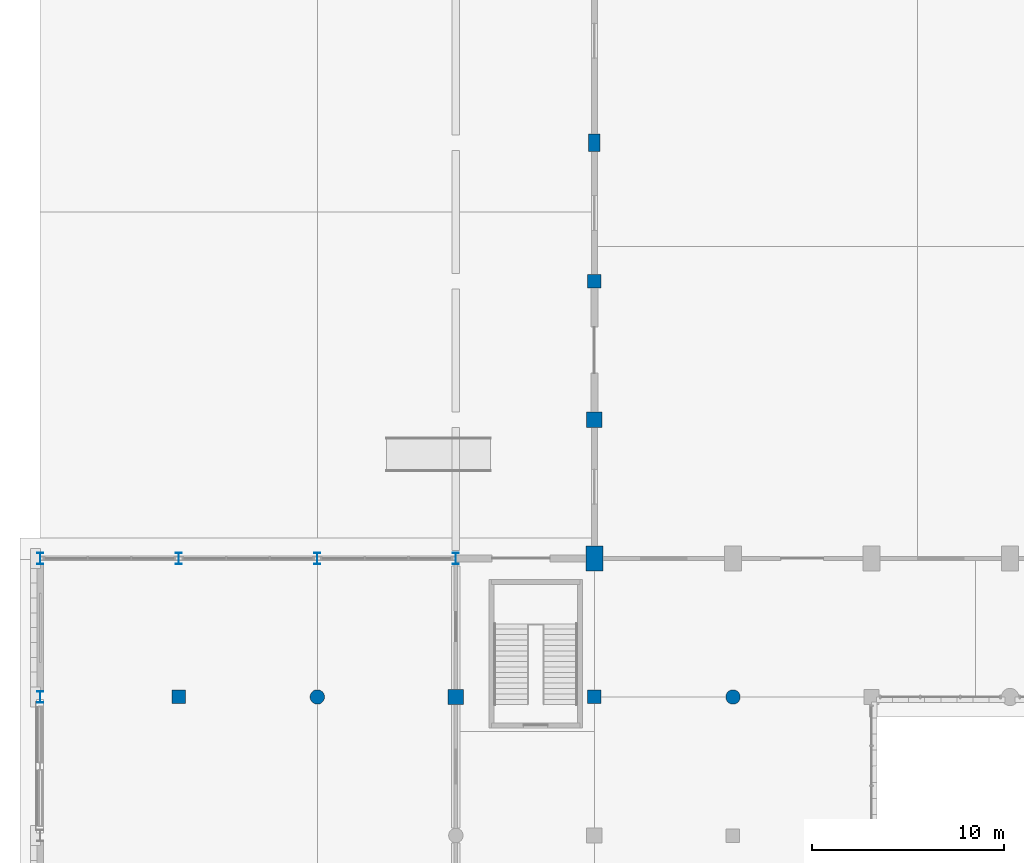
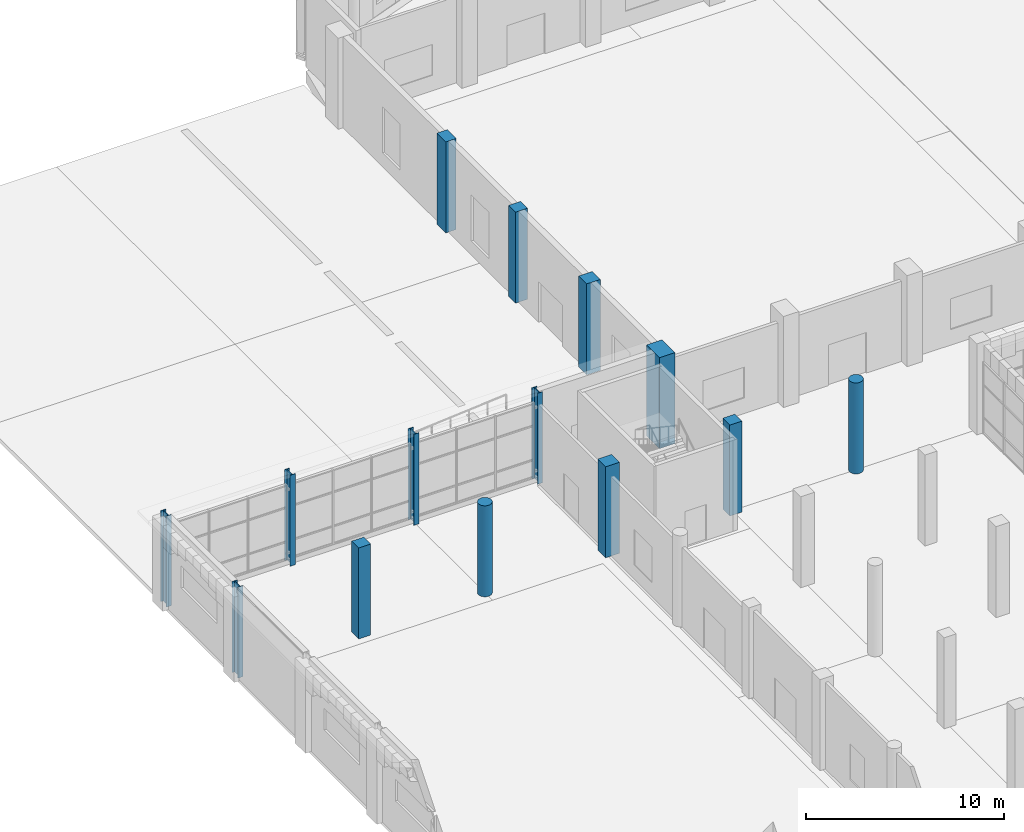
# One storey, part 5 of 85: 14 columns.
"""IFC4 building model written with IfcOpenShell, lengths in metres."""

import ifcopenshell
import ifcopenshell.guid

model = None  # the IFC model being written
_history = None  # IfcOwnerHistory: only IFC2X3 demands one
_inside = {}  # id of a spatial element -> (the spatial element, [elements in it])
_under = {}  # id of a project, library or spatial element -> (it, [spatial elements below it])
_declared = {}  # id of a project -> (the project, [libraries it declares])
_typed = {}  # id of a type object -> (the type object, [elements of that type])
_made_of = {}  # id of a material, layer set ... -> (it, [elements and type objects made of it])


def new_model(schema):
    """Start an empty IFC model of exactly this schema.

    Asked for "IFC4X3", IfcOpenShell would pick the latest addendum, in which some entities
    have other attributes; the version numbers below select the first issue.
    IFC2X3 requires an IfcOwnerHistory on every rooted entity: one is made here for all.
    """
    global model, _history
    if schema == "IFC4X3":
        model = ifcopenshell.file(schema_version=(4, 3, 0, 0))
    else:
        model = ifcopenshell.file(schema=schema)
    _inside.clear()
    _under.clear()
    _declared.clear()
    _typed.clear()
    _made_of.clear()
    _history = None
    if model.schema == "IFC2X3":
        org = make("IfcOrganization", Name="unknown")
        user = make(
            "IfcPersonAndOrganization",
            ThePerson=make("IfcPerson", FamilyName="unknown"),
            TheOrganization=org,
        )
        app = make(
            "IfcApplication",
            ApplicationDeveloper=org,
            Version="unknown",
            ApplicationFullName="unknown",
            ApplicationIdentifier="unknown",
        )
        _history = make(
            "IfcOwnerHistory",
            OwningUser=user,
            OwningApplication=app,
            ChangeAction="ADDED",
            CreationDate=0,
        )
    return model


def make(cls, **values):
    """One entity of the class cls with the attributes given. An attribute that is None is left unset."""
    return model.create_entity(
        cls, **{name: value for name, value in values.items() if value is not None}
    )


def rooted(cls, **values):
    """An entity with a GlobalId (a new one), such as an element, a storey or a relation."""
    return make(cls, GlobalId=ifcopenshell.guid.new(), OwnerHistory=_history, **values)


def si_unit(unit_type, name, prefix=None):
    """IfcSIUnit, for example si_unit("LENGTHUNIT", "METRE", prefix="MILLI")."""
    return make("IfcSIUnit", UnitType=unit_type, Prefix=prefix, Name=name)


def assignment(units):
    """IfcUnitAssignment: the units of a project."""
    return None if units is None else make("IfcUnitAssignment", Units=units)


def point(xyz):
    """IfcCartesianPoint."""
    return None if xyz is None else make("IfcCartesianPoint", Coordinates=xyz)


def direction(xyz):
    """IfcDirection."""
    return None if xyz is None else make("IfcDirection", DirectionRatios=xyz)


def frame(location, z_axis=None, x_axis=None):
    """IfcAxis2Placement3D, a coordinate frame: its origin and axes. An axis left out is left unset."""
    return make(
        "IfcAxis2Placement3D",
        Location=point(location),
        Axis=direction(z_axis),
        RefDirection=direction(x_axis),
    )


def frame_2d(location, x_axis=None):
    """IfcAxis2Placement2D, a coordinate frame in the plane: its origin and x axis."""
    return make(
        "IfcAxis2Placement2D", Location=point(location), RefDirection=direction(x_axis)
    )


def origin():
    """The frame at (0, 0, 0) with its axes left unset."""
    return frame((0.0, 0.0, 0.0))


def origin_2d():
    """The frame at (0, 0) in the plane with its x axis left unset."""
    return frame_2d((0.0, 0.0))


def place(relative_to, where):
    """IfcLocalPlacement: puts the frame where relative to a parent placement (None: the world)."""
    return make(
        "IfcLocalPlacement", PlacementRelTo=relative_to, RelativePlacement=where
    )


def context(
    kind, dimensions, precision=None, world=None, true_north=None, identifier=None
):
    """IfcGeometricRepresentationContext, for example the 3D "Model" context."""
    return make(
        "IfcGeometricRepresentationContext",
        ContextIdentifier=identifier,
        ContextType=kind,
        CoordinateSpaceDimension=dimensions,
        Precision=precision,
        WorldCoordinateSystem=world,
        TrueNorth=true_north,
    )


def subcontext(parent, identifier, kind, view, scale=None):
    """IfcGeometricRepresentationSubContext, for example "Body" below "Model"."""
    return make(
        "IfcGeometricRepresentationSubContext",
        ContextIdentifier=identifier,
        ContextType=kind,
        ParentContext=parent,
        TargetScale=scale,
        TargetView=view,
    )


def project(units=None, contexts=None):
    """IfcProject with its units and contexts."""
    return rooted(
        "IfcProject",
        Name="project",
        RepresentationContexts=contexts,
        UnitsInContext=assignment(units),
    )


def spatial(cls, under=None, at=None, **own):
    """A site, building, storey or space (cls), placed at a placement, below another one or the project."""
    s = rooted(cls, ObjectPlacement=at, **own)
    if under is not None:
        _under.setdefault(under.id(), (under, []))[1].append(s)
    return s


def profile(cls, at=None, kind="AREA", **sizes):
    """A parametric profile (cls). Its sizes go by their IFC names, for example OverallWidth=200.0."""
    return make(cls, ProfileType=kind, Position=at, **sizes)


def rectangle(**sizes):
    """IfcRectangleProfileDef."""
    return profile("IfcRectangleProfileDef", **sizes)


def circle(**sizes):
    """IfcCircleProfileDef."""
    return profile("IfcCircleProfileDef", **sizes)


def i_section(**sizes):
    """IfcIShapeProfileDef."""
    return profile("IfcIShapeProfileDef", **sizes)


def extrude(swept, where, along, depth):
    """IfcExtrudedAreaSolid: the profile swept, set in the frame where, extruded along a direction by depth."""
    return make(
        "IfcExtrudedAreaSolid",
        SweptArea=swept,
        Position=where,
        ExtrudedDirection=direction(along),
        Depth=depth,
    )


def shape(context_of_items, identifier, shape_type, items):
    """IfcShapeRepresentation: the items that make up one representation, for example the "Body"."""
    return make(
        "IfcShapeRepresentation",
        ContextOfItems=context_of_items,
        RepresentationIdentifier=identifier,
        RepresentationType=shape_type,
        Items=items,
    )


def material(Name=None, Category=None):
    """IfcMaterial."""
    return make("IfcMaterial", Name=Name, Category=Category)


def material_profile(
    of_material, cross_section, Name=None, Category=None, Priority=None
):
    """IfcMaterialProfile: a cross section and its material."""
    return make(
        "IfcMaterialProfile",
        Name=Name,
        Material=of_material,
        Profile=cross_section,
        Priority=Priority,
        Category=Category,
    )


def profile_set(profiles, Name=None, composite=None):
    """IfcMaterialProfileSet."""
    return make(
        "IfcMaterialProfileSet",
        Name=Name,
        MaterialProfiles=profiles,
        CompositeProfile=composite,
    )


def made_of(thing, what):
    """Note that an element or type object is made of a material, layer set ...; save() writes the relation."""
    if what is not None:
        _made_of.setdefault(what.id(), (what, []))[1].append(thing)
    return thing


def type_object(cls, material=None, **own):
    """A type object (cls), such as IfcWallType, which elements share."""
    return made_of(rooted(cls, **own), material)


def element(
    cls,
    number,
    at=None,
    inside=None,
    cuts=None,
    type_object=None,
    material=None,
    context=None,
    identifier="Body",
    shape_type=None,
    held_by="IfcProductDefinitionShape",
    body=None,
    shapes=None,
    **own,
):
    """One element of the class cls, such as IfcWall. Its Tag is "e" and its number.

    at: its placement. inside: the storey or other place that contains it. cuts: it is an
    opening in that element (IfcRelVoidsElement). A single representation is given by context,
    identifier, shape_type and body (its items); several are given by shapes. held_by: the class
    of the entity that holds the representations. save() writes the other relations.
    """
    e = rooted(cls, Tag="e%d" % number, ObjectPlacement=at, **own)
    if body is not None:
        shapes = [shape(context, identifier, shape_type, body)]
    if shapes is not None:
        e.Representation = make(held_by, Representations=shapes)
    if inside is not None:
        _inside.setdefault(inside.id(), (inside, []))[1].append(e)
    if cuts is not None:
        rooted(
            "IfcRelVoidsElement", RelatingBuildingElement=cuts, RelatedOpeningElement=e
        )
    if type_object is not None:
        _typed.setdefault(type_object.id(), (type_object, []))[1].append(e)
    return made_of(e, material)


def aggregate(whole, parts):
    """IfcRelAggregates: a whole, such as a stair, and the parts it consists of."""
    return rooted("IfcRelAggregates", RelatingObject=whole, RelatedObjects=parts)


def save(model, path):
    """Write the relations noted so far, then the file.

    IfcRelAggregates (storeys below a building ...), IfcRelContainedInSpatialStructure (elements
    in a storey), IfcRelDefinesByType, IfcRelAssociatesMaterial and IfcRelDeclares: one each for
    every whole, place, type object, material and project.
    """
    for whole, parts in _under.values():
        aggregate(whole, parts)
    for where, things in _inside.values():
        rooted(
            "IfcRelContainedInSpatialStructure",
            RelatedElements=things,
            RelatingStructure=where,
        )
    for kind, things in _typed.values():
        rooted("IfcRelDefinesByType", RelatedObjects=things, RelatingType=kind)
    for what, things in _made_of.values():
        rooted("IfcRelAssociatesMaterial", RelatedObjects=things, RelatingMaterial=what)
    for by, libraries in _declared.values():
        rooted("IfcRelDeclares", RelatingContext=by, RelatedDefinitions=libraries)
    model.write(path)


model = new_model("IFC4")

# Units and contexts
model_context = context("Model", 3, precision=1e-05, world=origin(), true_north=direction((0.0, 1.0)))
body_context = subcontext(model_context, "Body", "Model", "MODEL_VIEW")
ifc_project = project(units=[si_unit("LENGTHUNIT", "METRE"), si_unit("AREAUNIT", "SQUARE_METRE"), si_unit("VOLUMEUNIT", "CUBIC_METRE"), si_unit("PLANEANGLEUNIT", "RADIAN"), si_unit("MASSUNIT", "GRAM", prefix="KILO")], contexts=[model_context])

# Site, building, storey
site_placement = place(None, origin())
site = spatial("IfcSite", under=ifc_project, at=site_placement, CompositionType="ELEMENT")
building_placement = place(site_placement, origin())
building = spatial("IfcBuilding", under=site, at=building_placement, Name="Sardonyx Promenade Sports Hall", CompositionType="ELEMENT")
storey_placement = place(building_placement, origin())
storey = spatial("IfcBuildingStorey", under=building, at=storey_placement, Name="L00", CompositionType="ELEMENT", Elevation=0.0)

# Columns
ifc_material_1 = material(Name="Steel S355JR", Category="steel")
ifc_material_profile_1 = material_profile(ifc_material_1, i_section(OverallWidth=0.300048828125, OverallDepth=0.590087890625, WebThickness=0.012939453125, FlangeThickness=0.02490234375, at=origin_2d()))
ifc_profile_set_1 = profile_set([ifc_material_profile_1], Name="Steel S355JR")
column_type_1 = type_object("IfcColumnType", Name="Col_Ext_HEA600", PredefinedType="COLUMN", material=ifc_profile_set_1)
for number, where, z_axis, x_axis, name in (
    (1, (0.0, 64.800048828125, 0.0), (0.0, 0.0, 1.0), (1.0, 0.0, 0.0), "Column CE01 L00 (0.0,64.8)"),
    (2, (0.0, 72.0, 0.0), (0.0, 0.0, 1.0), (1.0, 0.0, 0.0), "Column CE01 L00 (0.0,72.0)"),
    (3, (7.199951171875, 72.0, 0.0), (0.0, 0.0, 1.0), (1.0, 0.0, 0.0), "Column CE01 L00 (7.2,72.0)"),
    (4, (14.39990234375, 72.0, 0.0), (0.0, 0.0, 1.0), (1.0, 0.0, 0.0), "Column CE01 L00 (14.4,72.0)"),
    (5, (21.60009765625, 72.0, 0.0), (0.0, 0.0, 1.0), (1.0, 0.0, 0.0), "Column CE01 L00 (21.6,72.0)"),
):
    element("IfcColumn", number, at=place(storey_placement, frame(where, z_axis=z_axis, x_axis=x_axis)), inside=storey, type_object=column_type_1, Name=name, PredefinedType="COLUMN", context=body_context, shape_type="SweptSolid", body=[
        extrude(i_section(OverallWidth=0.300048828125, OverallDepth=0.590087890625, WebThickness=0.012939453125, FlangeThickness=0.02490234375, at=origin_2d()), origin(), (0.0, 0.0, 1.0), 5.60009765625),
    ])
ifc_material_2 = material(Name="Concrete C40/50", Category="concrete")
ifc_material_profile_2 = material_profile(ifc_material_2, rectangle(XDim=0.60009765625, YDim=0.89990234375, at=origin_2d()))
ifc_profile_set_2 = profile_set([ifc_material_profile_2], Name="Concrete C40/50")
column_type_2 = type_object("IfcColumnType", Name="Col_Ext_RC600x900", PredefinedType="COLUMN", material=ifc_profile_set_2)
column_1_placement = place(storey_placement, frame((28.800048828125, 93.60009765625, 0.0), z_axis=(0.0, 0.0, 1.0), x_axis=(1.0, 0.0, 0.0)))
element("IfcColumn", 6, at=column_1_placement, inside=storey, type_object=column_type_2, Name="Column CE12 L00 (28.8,93.6)", PredefinedType="COLUMN", context=body_context, shape_type="SweptSolid", body=[
    extrude(rectangle(XDim=0.60009765625, YDim=0.89990234375, at=origin_2d()), origin(), (0.0, 0.0, 1.0), 5.60009765625),
])
ifc_material_3 = material(Name="Concrete C40/50", Category="concrete")
ifc_material_profile_3 = material_profile(ifc_material_3, rectangle(XDim=0.699951171875, YDim=0.699951171875, at=origin_2d()))
ifc_profile_set_3 = profile_set([ifc_material_profile_3], Name="Concrete C40/50")
column_type_3 = type_object("IfcColumnType", Name="Col_Ext_RC700", PredefinedType="COLUMN", material=ifc_profile_set_3)
column_2_placement = place(storey_placement, frame((28.800048828125, 86.39990234375, 0.0), z_axis=(0.0, 0.0, 1.0), x_axis=(1.0, 0.0, 0.0)))
element("IfcColumn", 7, at=column_2_placement, inside=storey, type_object=column_type_3, Name="Column CE05 L00 (28.8,86.4)", PredefinedType="COLUMN", context=body_context, shape_type="SweptSolid", body=[
    extrude(rectangle(XDim=0.699951171875, YDim=0.699951171875, at=origin_2d()), origin(), (0.0, 0.0, 1.0), 5.60009765625),
])
ifc_material_4 = material(Name="Concrete C50/60", Category="concrete")
ifc_material_profile_4 = material_profile(ifc_material_4, rectangle(XDim=0.800048828125, YDim=0.800048828125, at=origin_2d()))
ifc_profile_set_4 = profile_set([ifc_material_profile_4], Name="Concrete C50/60")
column_type_4 = type_object("IfcColumnType", Name="Col_Ext_RC800", PredefinedType="COLUMN", material=ifc_profile_set_4)
column_3_placement = place(storey_placement, frame((28.800048828125, 79.199951171875, 0.0), z_axis=(0.0, 0.0, 1.0), x_axis=(1.0, 0.0, 0.0)))
element("IfcColumn", 8, at=column_3_placement, inside=storey, type_object=column_type_4, Name="Column CE13 L00 (28.8,79.2)", PredefinedType="COLUMN", context=body_context, shape_type="SweptSolid", body=[
    extrude(rectangle(XDim=0.800048828125, YDim=0.800048828125, at=origin_2d()), origin(), (0.0, 0.0, 1.0), 5.60009765625),
])
ifc_material_5 = material(Name="Concrete C50/60", Category="concrete")
ifc_material_profile_5 = material_profile(ifc_material_5, rectangle(XDim=0.89990234375, YDim=1.300048828125, at=origin_2d()))
ifc_profile_set_5 = profile_set([ifc_material_profile_5], Name="Concrete C50/60")
column_type_5 = type_object("IfcColumnType", Name="Col_Ext_RC900x1300", PredefinedType="COLUMN", material=ifc_profile_set_5)
column_4_placement = place(storey_placement, frame((28.800048828125, 72.0, 0.0), z_axis=(0.0, 0.0, 1.0), x_axis=(1.0, 0.0, 0.0)))
element("IfcColumn", 9, at=column_4_placement, inside=storey, type_object=column_type_5, Name="Column CE06 L00 (28.8,72.0)", PredefinedType="COLUMN", context=body_context, shape_type="SweptSolid", body=[
    extrude(rectangle(XDim=0.89990234375, YDim=1.300048828125, at=origin_2d()), origin(), (0.0, 0.0, 1.0), 5.60009765625),
])
ifc_material_6 = material(Name="Concrete C50/60", Category="concrete")
ifc_material_profile_6 = material_profile(ifc_material_6, rectangle(XDim=0.699951171875, YDim=0.699951171875, at=origin_2d()))
ifc_profile_set_6 = profile_set([ifc_material_profile_6], Name="Concrete C50/60")
column_type_6 = type_object("IfcColumnType", Name="Col_Int_RC700", PredefinedType="COLUMN", material=ifc_profile_set_6)
for number, where, z_axis, x_axis, name in (
    (10, (7.199951171875, 64.800048828125, 0.0), (0.0, 0.0, 1.0), (1.0, 0.0, 0.0), "Column CI03 L00 (7.2,64.8)"),
    (11, (28.800048828125, 64.800048828125, 0.0), (0.0, 0.0, 1.0), (1.0, 0.0, 0.0), "Column CI03 L00 (28.8,64.8)"),
):
    element("IfcColumn", number, at=place(storey_placement, frame(where, z_axis=z_axis, x_axis=x_axis)), inside=storey, type_object=column_type_6, Name=name, PredefinedType="COLUMN", context=body_context, shape_type="SweptSolid", body=[
        extrude(rectangle(XDim=0.699951171875, YDim=0.699951171875, at=origin_2d()), origin(), (0.0, 0.0, 1.0), 5.60009765625),
    ])
ifc_material_7 = material(Name="Concrete C50/60", Category="concrete")
ifc_material_profile_7 = material_profile(ifc_material_7, rectangle(XDim=0.800048828125, YDim=0.800048828125, at=origin_2d()))
ifc_profile_set_7 = profile_set([ifc_material_profile_7], Name="Concrete C50/60")
column_type_7 = type_object("IfcColumnType", Name="Col_Int_RC800", PredefinedType="COLUMN", material=ifc_profile_set_7)
column_5_placement = place(storey_placement, frame((21.60009765625, 64.800048828125, 0.0), z_axis=(0.0, 0.0, 1.0), x_axis=(1.0, 0.0, 0.0)))
element("IfcColumn", 12, at=column_5_placement, inside=storey, type_object=column_type_7, Name="Column CI01 L00 (21.6,64.8)", PredefinedType="COLUMN", context=body_context, shape_type="SweptSolid", body=[
    extrude(rectangle(XDim=0.800048828125, YDim=0.800048828125, at=origin_2d()), origin(), (0.0, 0.0, 1.0), 5.60009765625),
])
ifc_material_8 = material(Name="Concrete C50/60", Category="concrete")
ifc_material_profile_8 = material_profile(ifc_material_8, circle(Radius=0.375, at=origin_2d()))
ifc_profile_set_8 = profile_set([ifc_material_profile_8], Name="Concrete C50/60")
column_type_8 = type_object("IfcColumnType", Name="Col_Int_RCD750", PredefinedType="COLUMN", material=ifc_profile_set_8)
for number, where, z_axis, x_axis, name in (
    (13, (14.39990234375, 64.800048828125, 0.0), (0.0, 0.0, 1.0), (1.0, 0.0, 0.0), "Column CI07 L00 (14.4,64.8)"),
    (14, (36.0, 64.800048828125, 0.0), (0.0, 0.0, 1.0), (1.0, 0.0, 0.0), "Column CI07 L00 (36.0,64.8)"),
):
    element("IfcColumn", number, at=place(storey_placement, frame(where, z_axis=z_axis, x_axis=x_axis)), inside=storey, type_object=column_type_8, Name=name, PredefinedType="COLUMN", context=body_context, shape_type="SweptSolid", body=[
        extrude(circle(Radius=0.375, at=origin_2d()), origin(), (0.0, 0.0, 1.0), 5.60009765625),
    ])

save(model, "model.ifc")
